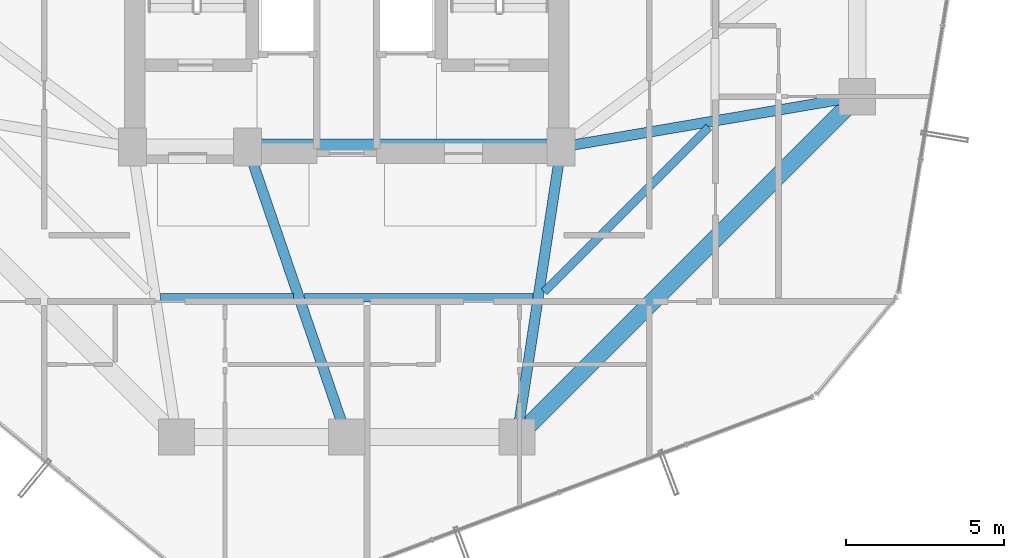
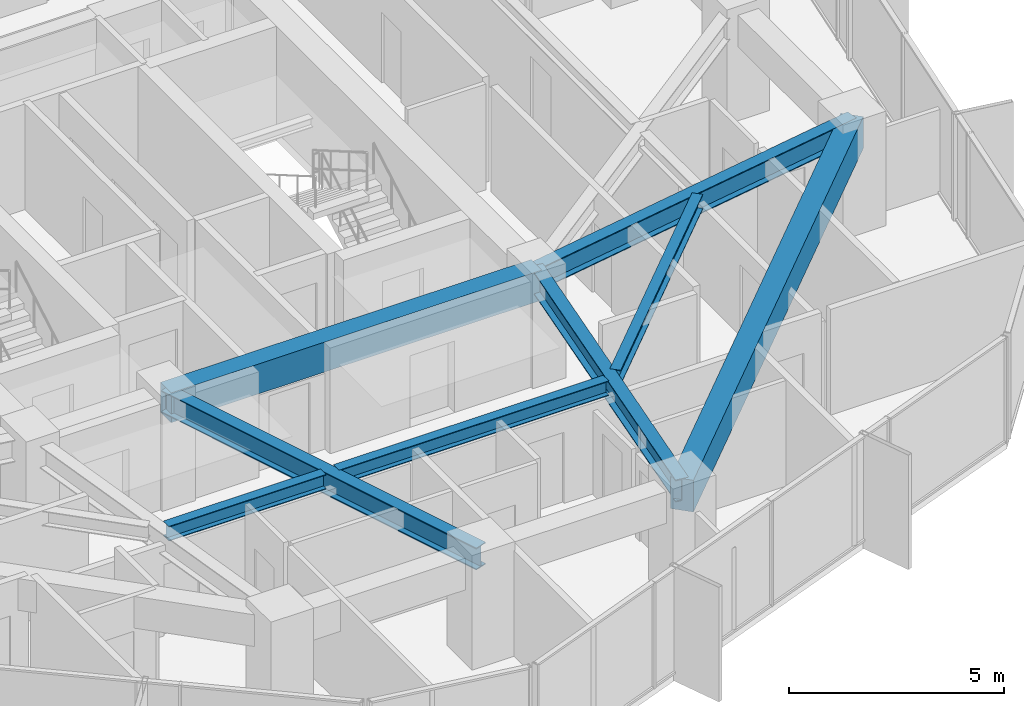
# One storey, part 9 of 30: 8 beams.
"""IFC4 building model written with IfcOpenShell, lengths in metres."""

from ifc_helpers import new_model, si_unit, direction, frame, origin, origin_2d, place, context, subcontext, project, spatial, rectangle, i_section, extrude, material, material_profile, profile_set, type_object, element, save


model = new_model("IFC4")

# Units and contexts
model_context = context("Model", 3, precision=1e-05, world=origin(), true_north=direction((0.0, 1.0)))
body_context = subcontext(model_context, "Body", "Model", "MODEL_VIEW")
ifc_project = project(units=[si_unit("LENGTHUNIT", "METRE"), si_unit("AREAUNIT", "SQUARE_METRE"), si_unit("VOLUMEUNIT", "CUBIC_METRE"), si_unit("PLANEANGLEUNIT", "RADIAN"), si_unit("MASSUNIT", "GRAM", prefix="KILO")], contexts=[model_context])

# Site, building, storey
site_placement = place(None, origin())
site = spatial("IfcSite", under=ifc_project, at=site_placement, CompositionType="ELEMENT")
building_placement = place(site_placement, origin())
building = spatial("IfcBuilding", under=site, at=building_placement, Name="Veraguas Prism Commons", CompositionType="ELEMENT")
storey_placement = place(building_placement, frame((0.0, 0.0, 95.949951171875)))
storey = spatial("IfcBuildingStorey", under=building, at=storey_placement, Name="L26", CompositionType="ELEMENT", Elevation=95.949951171875)

# Beams
ifc_material_1 = material(Name="Concrete C50/60", Category="concrete")
ifc_material_profile_1 = material_profile(ifc_material_1, rectangle(XDim=0.5, YDim=0.85009765625, at=origin_2d()), Name="RC500X850")
ifc_profile_set_1 = profile_set([ifc_material_profile_1], Name="Concrete C50/60")
beam_type_1 = type_object("IfcBeamType", Name="Core Coupling Beam RC 500x850", PredefinedType="BEAM", material=ifc_profile_set_1)
beam_1_placement = place(storey_placement, frame((20.85009765625, 17.0, 2.574951171875), z_axis=(1.0, 0.0, 0.0), x_axis=(0.0, 1.0, 0.0)))
element("IfcBeam", 1, at=beam_1_placement, inside=storey, type_object=beam_type_1, Name="Core Coupling Beam L26-CRS2", PredefinedType="BEAM", context=body_context, shape_type="SweptSolid", body=[
    extrude(rectangle(XDim=0.5, YDim=0.85009765625, at=origin_2d()), origin(), (0.0, 0.0, 1.0), 9.949951171875),
])
ifc_material_2 = material(Name="Steel ASTM A992 Grade 50", Category="steel")
ifc_material_profile_2 = material_profile(ifc_material_2, i_section(OverallWidth=0.260986328125, OverallDepth=0.419921875, WebThickness=0.01171875, FlangeThickness=0.019287109375, at=origin_2d()), Name="W410X114")
ifc_profile_set_2 = profile_set([ifc_material_profile_2], Name="Steel ASTM A992 Grade 50")
beam_type_2 = type_object("IfcBeamType", Name="Lower Floor Joist W410x114", PredefinedType="JOIST", material=ifc_profile_set_2)
beam_2_placement = place(storey_placement, frame((18.091796875, 12.216064453125, 2.7900390625), z_axis=(1.0, 0.0, 0.0), x_axis=(0.0, 1.0, 0.0)))
element("IfcBeam", 2, at=beam_2_placement, inside=storey, type_object=beam_type_2, Name="Composite Floor Joist L26-JS10", PredefinedType="JOIST", context=body_context, shape_type="SweptSolid", body=[
    extrude(i_section(OverallWidth=0.260986328125, OverallDepth=0.419921875, WebThickness=0.01171875, FlangeThickness=0.019287109375, at=origin_2d()), origin(), (0.0, 0.0, 1.0), 4.22509765625),
])
beam_3_placement = place(storey_placement, frame((22.6591796875, 12.216064453125, 2.7900390625), z_axis=(1.0, 0.0, 0.0), x_axis=(0.0, 1.0, 0.0)))
element("IfcBeam", 3, at=beam_3_placement, inside=storey, type_object=beam_type_2, Name="Composite Floor Joist L26-JS11", PredefinedType="JOIST", context=body_context, shape_type="SweptSolid", body=[
    extrude(i_section(OverallWidth=0.260986328125, OverallDepth=0.419921875, WebThickness=0.01171875, FlangeThickness=0.019287109375, at=origin_2d()), origin(), (0.0, 0.0, 1.0), 7.2490234375),
])
beam_4_placement = place(storey_placement, frame((30.265380859375, 12.4091796875, 2.7900390625), z_axis=(0.707090260193, 0.707123301794, 0.0), x_axis=(-0.707123301794, 0.707090260193, 0.0)))
element("IfcBeam", 4, at=beam_4_placement, inside=storey, type_object=beam_type_2, Name="Composite Floor Joist L26-JS12", PredefinedType="JOIST", context=body_context, shape_type="SweptSolid", body=[
    extrude(i_section(OverallWidth=0.260986328125, OverallDepth=0.419921875, WebThickness=0.01171875, FlangeThickness=0.019287109375, at=origin_2d()), origin(), (0.0, 0.0, 1.0), 7.388916015625),
])
ifc_material_profile_3 = material_profile(ifc_material_1, rectangle(XDim=0.550048828125, YDim=0.89990234375, at=origin_2d()), Name="RC550X900")
ifc_profile_set_3 = profile_set([ifc_material_profile_3], Name="Concrete C50/60")
beam_type_3 = type_object("IfcBeamType", Name="Perimeter Spandrel Lower RC 550x900", PredefinedType="SPANDREL", material=ifc_profile_set_3)
beam_5_placement = place(storey_placement, frame((29.39990234375, 7.800048828125, 2.550048828125), z_axis=(0.707106781187, 0.707106781187, 0.0), x_axis=(-0.707106781187, 0.707106781187, 0.0)))
element("IfcBeam", 5, at=beam_5_placement, inside=storey, type_object=beam_type_3, Name="Perimeter Spandrel Beam L26-SP12", PredefinedType="SPANDREL", context=body_context, shape_type="SweptSolid", body=[
    extrude(rectangle(XDim=0.550048828125, YDim=0.89990234375, at=origin_2d()), origin(), (0.0, 0.0, 1.0), 15.273681640625),
])
ifc_material_profile_4 = material_profile(ifc_material_2, i_section(OverallWidth=0.327880859375, OverallDepth=0.6220703125, WebThickness=0.015380859375, FlangeThickness=0.0244140625, at=origin_2d()), Name="W610X195")
ifc_profile_set_4 = profile_set([ifc_material_profile_4], Name="Steel ASTM A992 Grade 50")
beam_type_4 = type_object("IfcBeamType", Name="Zone 2 Radial Girder W610x195", PredefinedType="BEAM", material=ifc_profile_set_4)
beam_6_placement = place(storey_placement, frame((40.199951171875, 18.60009765625, 2.68896484375), z_axis=(-0.985819187151, -0.1678109956, 0.0), x_axis=(0.1678109956, -0.985819187151, 0.0)))
element("IfcBeam", 6, at=beam_6_placement, inside=storey, type_object=beam_type_4, Name="Radial Floor Girder L26-RD01", PredefinedType="BEAM", context=body_context, shape_type="SweptSolid", body=[
    extrude(i_section(OverallWidth=0.327880859375, OverallDepth=0.6220703125, WebThickness=0.015380859375, FlangeThickness=0.0244140625, at=origin_2d()), origin(), (0.0, 0.0, 1.0), 9.53515625),
])
beam_7_placement = place(storey_placement, frame((24.0, 7.800048828125, 2.68896484375), z_axis=(-0.323922482989, 0.946083624747, 0.0), x_axis=(-0.946083624747, -0.323922482989, 0.0)))
element("IfcBeam", 7, at=beam_7_placement, inside=storey, type_object=beam_type_4, Name="Radial Floor Girder L26-RD11", PredefinedType="BEAM", context=body_context, shape_type="SweptSolid", body=[
    extrude(i_section(OverallWidth=0.327880859375, OverallDepth=0.6220703125, WebThickness=0.015380859375, FlangeThickness=0.0244140625, at=origin_2d()), origin(), (0.0, 0.0, 1.0), 9.724365234375),
])
beam_8_placement = place(storey_placement, frame((29.39990234375, 7.800048828125, 2.68896484375), z_axis=(0.150458162136, 0.98861637729, 0.0), x_axis=(-0.98861637729, 0.150458162136, 0.0)))
element("IfcBeam", 8, at=beam_8_placement, inside=storey, type_object=beam_type_4, Name="Radial Floor Girder L26-RD12", PredefinedType="BEAM", context=body_context, shape_type="SweptSolid", body=[
    extrude(i_section(OverallWidth=0.327880859375, OverallDepth=0.6220703125, WebThickness=0.015380859375, FlangeThickness=0.0244140625, at=origin_2d()), origin(), (0.0, 0.0, 1.0), 9.305908203125),
])

save(model, "model.ifc")
